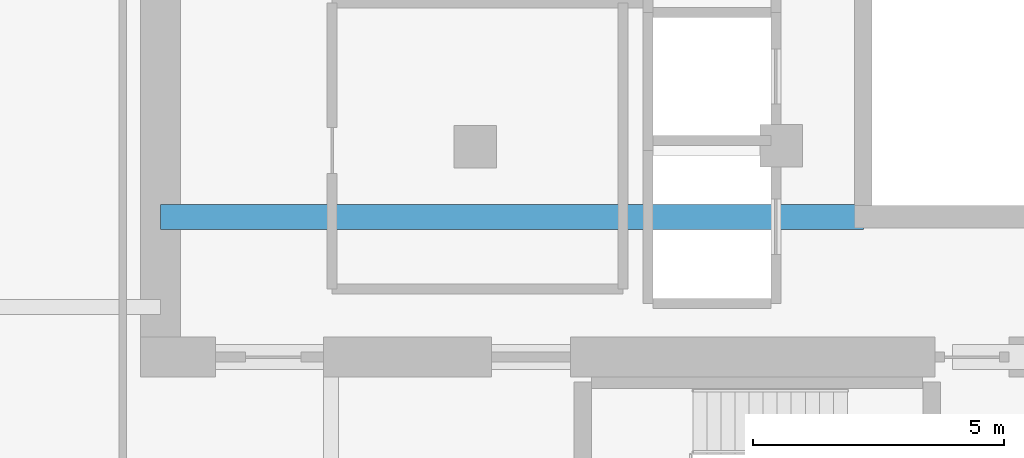
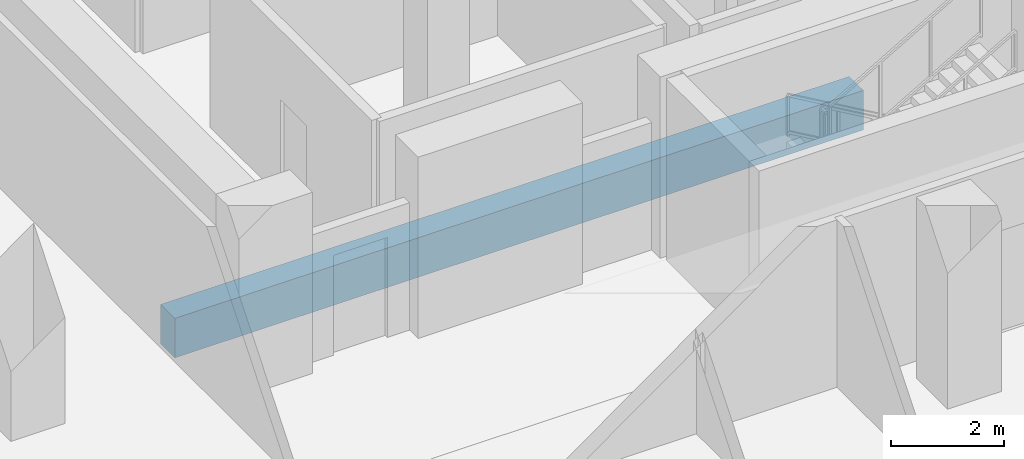
# One storey, part 7 of 27: 1 beam.
"""IFC4 building model written with IfcOpenShell, lengths in metres."""

from ifc_helpers import new_model, si_unit, direction, frame, origin, origin_2d, place, context, subcontext, project, spatial, rectangle, extrude, material, material_profile, profile_set, type_object, element, save


model = new_model("IFC4")

# Units and contexts
model_context = context("Model", 3, precision=1e-05, world=origin(), true_north=direction((0.0, 1.0)))
body_context = subcontext(model_context, "Body", "Model", "MODEL_VIEW")
ifc_project = project(units=[si_unit("LENGTHUNIT", "METRE"), si_unit("AREAUNIT", "SQUARE_METRE"), si_unit("VOLUMEUNIT", "CUBIC_METRE"), si_unit("PLANEANGLEUNIT", "RADIAN"), si_unit("MASSUNIT", "GRAM", prefix="KILO")], contexts=[model_context])

# Site, building, storey
site_placement = place(None, origin())
site = spatial("IfcSite", under=ifc_project, at=site_placement, CompositionType="ELEMENT")
building_placement = place(site_placement, origin())
building = spatial("IfcBuilding", under=site, at=building_placement, Name="Khorvyn Point Tower", CompositionType="ELEMENT")
storey_placement = place(building_placement, frame((0.0, 0.0, 231.300048828125)))
storey = spatial("IfcBuildingStorey", under=building, at=storey_placement, Name="L57", CompositionType="ELEMENT", Elevation=231.300048828125)

# Beam
ifc_material = material(Name="Concrete C45/55", Category="concrete")
ifc_material_profile = material_profile(ifc_material, rectangle(XDim=0.5, YDim=0.85009765625, at=origin_2d()))
ifc_profile_set = profile_set([ifc_material_profile], Name="Concrete C45/55 RC500x850")
beam_type = type_object("IfcBeamType", Name="Concrete C45/55 Beam RC500x850", PredefinedType="BEAM", material=ifc_profile_set)
beam_placement = place(storey_placement, frame((-10.800048828125, -5.60009765625, -0.64501953125), z_axis=(1.0, 0.0, 0.0), x_axis=(0.0, 1.0, 0.0)))
element("IfcBeam", 1, at=beam_placement, inside=storey, type_object=beam_type, Name="L57 Core Internal Tie Girder S", PredefinedType="BEAM", context=body_context, shape_type="SweptSolid", body=[
    extrude(rectangle(XDim=0.5, YDim=0.85009765625, at=origin_2d()), origin(), (0.0, 0.0, 1.0), 14.02001953125),
])

save(model, "model.ifc")
